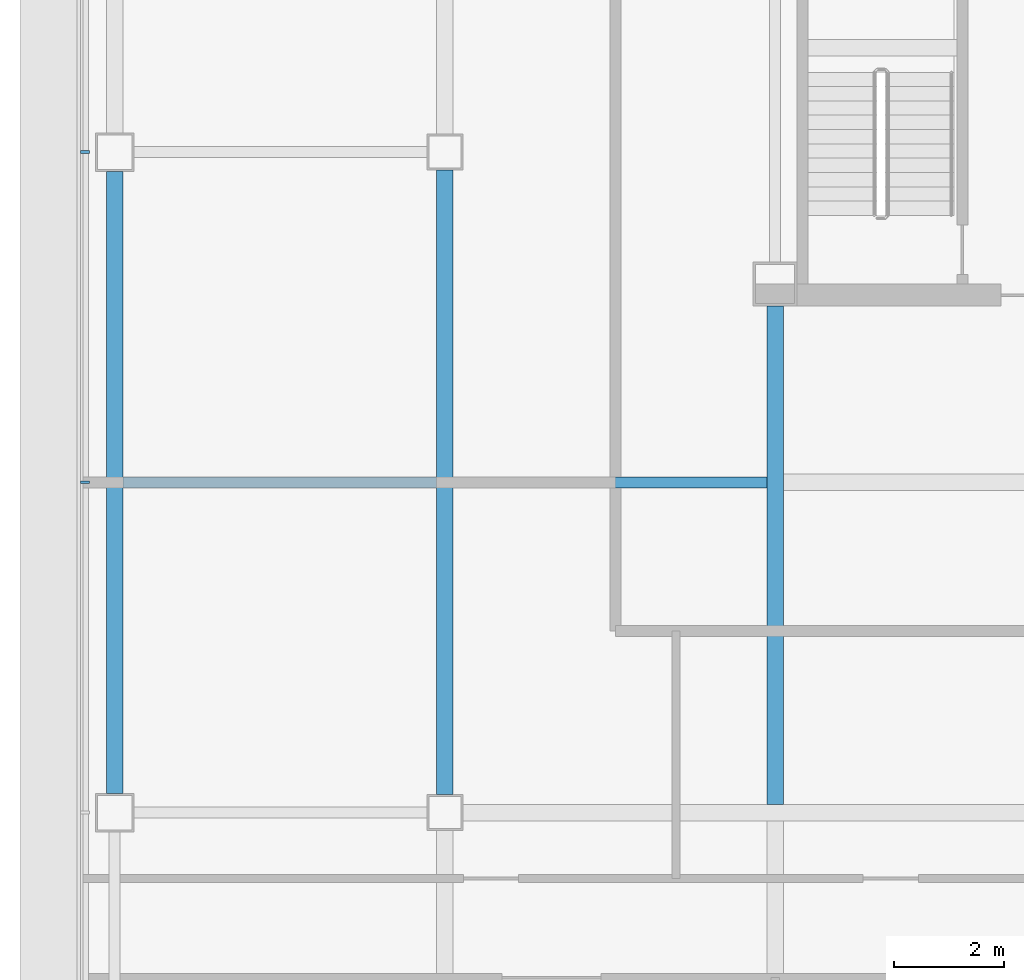
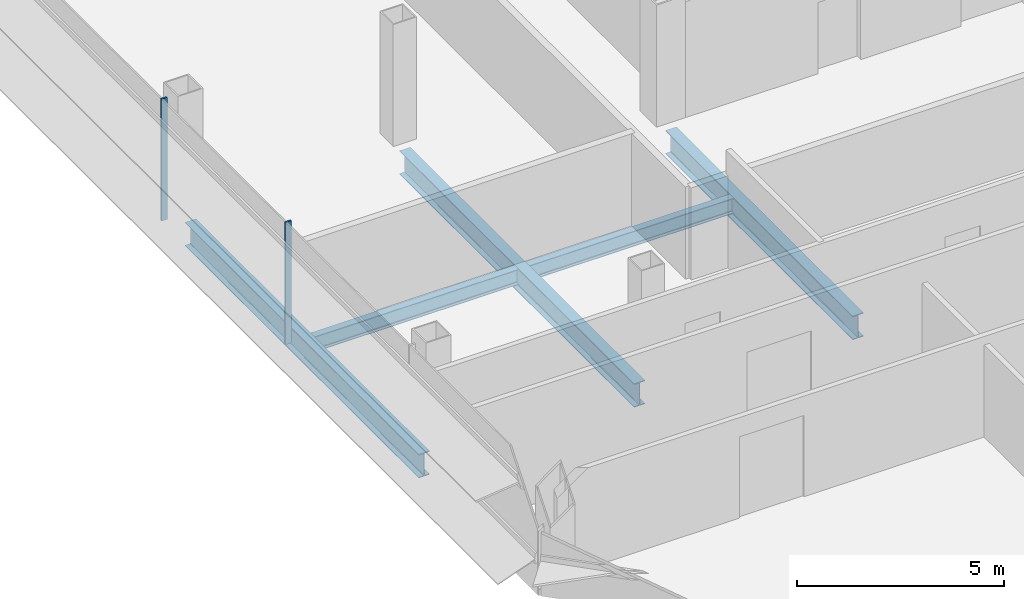
# One storey, part 4 of 24: 5 beams, 2 members, 1 element without a shape of its own.
"""IFC4 building model written with IfcOpenShell, lengths in metres."""

from ifc_helpers import new_model, si_unit, direction, frame, origin, origin_2d, place, context, subcontext, project, spatial, rectangle, i_section, extrude, material, material_profile, profile_set, type_object, element, aggregate, save


model = new_model("IFC4")

# Units and contexts
model_context = context("Model", 3, precision=1e-05, world=origin(), true_north=direction((0.0, 1.0)))
body_context = subcontext(model_context, "Body", "Model", "MODEL_VIEW")
ifc_project = project(units=[si_unit("LENGTHUNIT", "METRE"), si_unit("AREAUNIT", "SQUARE_METRE"), si_unit("VOLUMEUNIT", "CUBIC_METRE"), si_unit("PLANEANGLEUNIT", "RADIAN"), si_unit("MASSUNIT", "GRAM", prefix="KILO")], contexts=[model_context])

# Site, building, storey
site_placement = place(None, origin())
site = spatial("IfcSite", under=ifc_project, at=site_placement, CompositionType="ELEMENT")
building_placement = place(site_placement, origin())
building = spatial("IfcBuilding", under=site, at=building_placement, Name="Sorahane Residences", CompositionType="ELEMENT")
storey_placement = place(building_placement, frame((0.0, 0.0, 178.0)))
storey = spatial("IfcBuildingStorey", under=building, at=storey_placement, Name="L41", CompositionType="ELEMENT", Elevation=178.0)

# Curtain wall, members
ifc_material_1 = material(Name="Dark low-e glass and black anodised aluminium", Category="aluminium")
curtain_wall_type = type_object("IfcCurtainWallType", Name="Curtain wall CW-1 Typical unitised wall", PredefinedType="NOTDEFINED", material=ifc_material_1)
curtain_wall_placement = place(storey_placement, origin())
curtain_wall = element("IfcCurtainWall", 1, at=curtain_wall_placement, inside=storey, type_object=curtain_wall_type, Name="CW-1 curtain wall L41 W1", PredefinedType="NOTDEFINED")
ifc_material_2 = material(Name="Black anodised aluminium", Category="aluminium")
ifc_material_profile_1 = material_profile(ifc_material_2, rectangle(XDim=0.159912109375, YDim=0.050048828125, at=origin_2d()), Name="Curtain wall mullion CW-1 black anodised aluminium 50x160")
ifc_profile_set_1 = profile_set([ifc_material_profile_1], Name="Black anodised aluminium")
member_type = type_object("IfcMemberType", Name="Curtain wall mullion CW-1 black anodised aluminium 50x160", PredefinedType="MULLION", material=ifc_profile_set_1)
member_1_placement = place(storey_placement, frame((-6.5400390625, 24.0, -0.179931640625), z_axis=(0.0, 0.0, 1.0), x_axis=(-1.0, 0.0, 0.0)))
member_1 = element("IfcMember", 2, at=member_1_placement, type_object=member_type, Name="CW-1 mullion L41 W1.4", PredefinedType="MULLION", context=body_context, shape_type="SweptSolid", body=[
    extrude(rectangle(XDim=0.159912109375, YDim=0.050048828125, at=origin_2d()), origin(), (0.0, 0.0, 1.0), 3.599853515625),
])
member_2_placement = place(storey_placement, frame((-6.5400390625, 18.0, -0.179931640625), z_axis=(0.0, 0.0, 1.0), x_axis=(-1.0, 0.0, 0.0)))
member_2 = element("IfcMember", 3, at=member_2_placement, type_object=member_type, Name="CW-1 mullion L41 W1.5", PredefinedType="MULLION", context=body_context, shape_type="SweptSolid", body=[
    extrude(rectangle(XDim=0.159912109375, YDim=0.050048828125, at=origin_2d()), origin(), (0.0, 0.0, 1.0), 3.599853515625),
])
aggregate(curtain_wall, [member_1, member_2])

# Beams
ifc_material_3 = material(Name="Steel Q355B", Category="steel")
ifc_material_profile_2 = material_profile(ifc_material_3, i_section(OverallWidth=0.199951171875, OverallDepth=0.449951171875, WebThickness=0.009033203125, FlangeThickness=0.013916015625, FilletRadius=0.02001953125, at=origin_2d()), Name="HN 450x200x9x14")
ifc_profile_set_2 = profile_set([ifc_material_profile_2], Name="Steel Q355B")
beam_type_1 = type_object("IfcBeamType", Name="Steel floor beam HN 450x200x9x14 Q355B", PredefinedType="BEAM", material=ifc_profile_set_2)
for number, where, z_axis, x_axis, name in (
    (4, (-5.85009765625, 18.0, -0.405029296875), (1.0, 0.0, 0.0), (0.0, 1.0, 0.0), "Beam L41 078"),
    (5, (0.14990234375, 18.0, -0.405029296875), (1.0, 0.0, 0.0), (0.0, 1.0, 0.0), "Beam L41 079"),
):
    element("IfcBeam", number, at=place(storey_placement, frame(where, z_axis=z_axis, x_axis=x_axis)), inside=storey, type_object=beam_type_1, Name=name, PredefinedType="BEAM", context=body_context, shape_type="SweptSolid", body=[
        extrude(i_section(OverallWidth=0.199951171875, OverallDepth=0.449951171875, WebThickness=0.009033203125, FlangeThickness=0.013916015625, FilletRadius=0.02001953125, at=origin_2d()), origin(), (0.0, 0.0, 1.0), 5.7001953125),
    ])
ifc_material_4 = material(Name="Steel Q355B", Category="steel")
ifc_material_profile_3 = material_profile(ifc_material_4, i_section(OverallWidth=0.300048828125, OverallDepth=0.699951171875, WebThickness=0.012939453125, FlangeThickness=0.02392578125, FilletRadius=0.028076171875, at=origin_2d()), Name="HN 700x300x13x24")
ifc_profile_set_3 = profile_set([ifc_material_profile_3], Name="Steel Q355B")
beam_type_2 = type_object("IfcBeamType", Name="Steel floor beam HN 700x300x13x24 Q355B", PredefinedType="BEAM", material=ifc_profile_set_3)
beam_1_placement = place(storey_placement, frame((-6.0, 12.35009765625, -0.530029296875), z_axis=(0.0, 1.0, 0.0), x_axis=(-1.0, 0.0, 0.0)))
element("IfcBeam", 6, at=beam_1_placement, inside=storey, type_object=beam_type_2, Name="Beam L41 021", PredefinedType="BEAM", context=body_context, shape_type="SweptSolid", body=[
    extrude(i_section(OverallWidth=0.300048828125, OverallDepth=0.699951171875, WebThickness=0.012939453125, FlangeThickness=0.02392578125, FilletRadius=0.028076171875, at=origin_2d()), origin(), (0.0, 0.0, 1.0), 11.2998046875),
])
beam_2_placement = place(storey_placement, frame((0.0, 12.324951171875, -0.530029296875), z_axis=(0.0, 1.0, 0.0), x_axis=(-1.0, 0.0, 0.0)))
element("IfcBeam", 7, at=beam_2_placement, inside=storey, type_object=beam_type_2, Name="Beam L41 025", PredefinedType="BEAM", context=body_context, shape_type="SweptSolid", body=[
    extrude(i_section(OverallWidth=0.300048828125, OverallDepth=0.699951171875, WebThickness=0.012939453125, FlangeThickness=0.02392578125, FilletRadius=0.028076171875, at=origin_2d()), origin(), (0.0, 0.0, 1.0), 11.35009765625),
])
beam_3_placement = place(storey_placement, frame((6.0, 12.14990234375, -0.530029296875), z_axis=(0.0, 1.0, 0.0), x_axis=(-1.0, 0.0, 0.0)))
element("IfcBeam", 8, at=beam_3_placement, inside=storey, type_object=beam_type_2, Name="Beam L41 029", PredefinedType="BEAM", context=body_context, shape_type="SweptSolid", body=[
    extrude(i_section(OverallWidth=0.300048828125, OverallDepth=0.699951171875, WebThickness=0.012939453125, FlangeThickness=0.02392578125, FilletRadius=0.028076171875, at=origin_2d()), origin(), (0.0, 0.0, 1.0), 9.050048828125),
])

save(model, "model.ifc")
